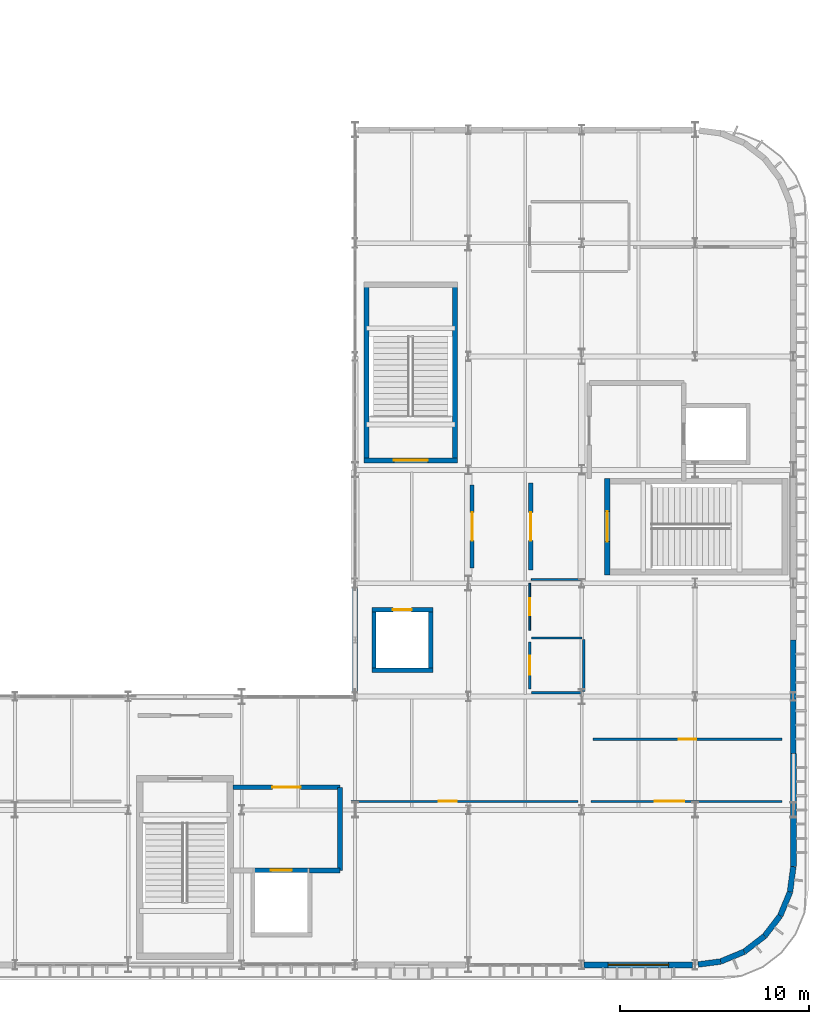
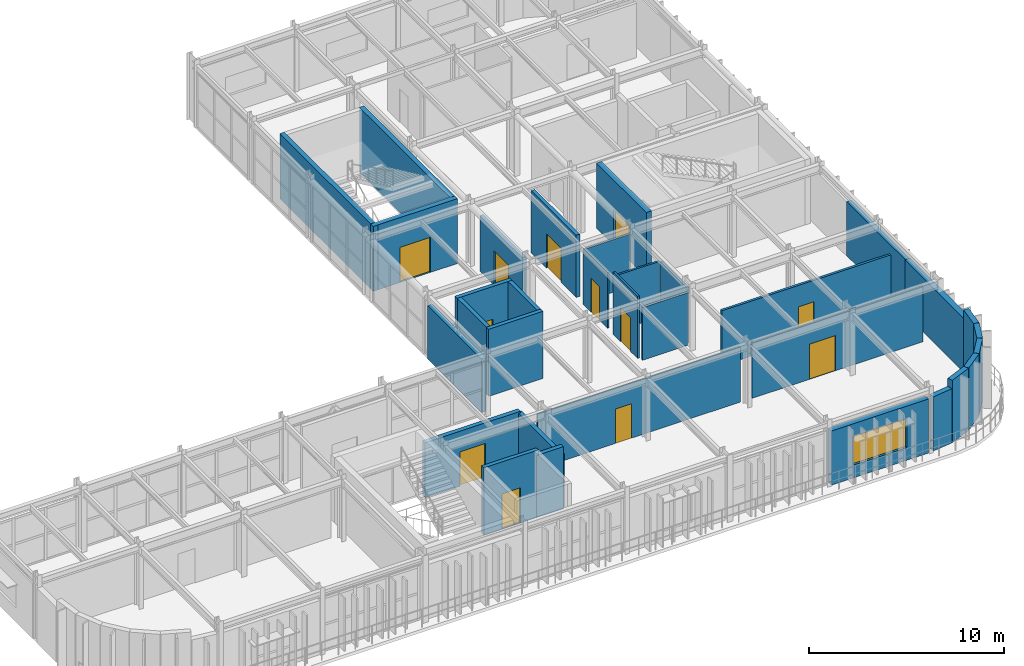
# One storey, part 64 of 83: 33 walls, 12 doors, 1 window, 13 openings.
"""IFC4 building model written with IfcOpenShell, lengths in metres."""

from ifc_helpers import new_model, si_unit, direction, frame, frame_2d, origin, place, context, subcontext, project, spatial, rectangle, extrude, material, layer, layer_set, type_object, element, fill, save


model = new_model("IFC4")

# Units and contexts
model_context = context("Model", 3, precision=1e-05, world=origin(), true_north=direction((0.0, 1.0)))
body_context = subcontext(model_context, "Body", "Model", "MODEL_VIEW")
ifc_project = project(units=[si_unit("LENGTHUNIT", "METRE"), si_unit("AREAUNIT", "SQUARE_METRE"), si_unit("VOLUMEUNIT", "CUBIC_METRE"), si_unit("PLANEANGLEUNIT", "RADIAN"), si_unit("MASSUNIT", "GRAM", prefix="KILO")], contexts=[model_context])

# Site, building, storey
site_placement = place(None, origin())
site = spatial("IfcSite", under=ifc_project, at=site_placement, CompositionType="ELEMENT")
building_placement = place(site_placement, origin())
building = spatial("IfcBuilding", under=site, at=building_placement, Name="Varnakota Square Police Headquarters", CompositionType="ELEMENT")
storey_placement = place(building_placement, frame((0.0, 0.0, 18.0)))
storey = spatial("IfcBuildingStorey", under=building, at=storey_placement, Name="L04", CompositionType="ELEMENT", Elevation=18.0)

# Wall, opening, door
ifc_material_1 = material(Name="Concrete M40", Category="concrete")
ifc_layer_1 = layer(ifc_material_1, 0.22998046875, Name="Concrete M40")
ifc_layer_set_1 = layer_set([ifc_layer_1], Name="Concrete M40")
wall_type_1 = type_object("IfcWallType", Name="WL-CORE-230", PredefinedType="SHEAR", material=ifc_layer_set_1)
wall_1_placement = place(storey_placement, frame((135.715087890625, 5.800048828125, 0.0), z_axis=(0.0, 0.0, 1.0), x_axis=(-1.0, 0.0, 0.0)))
wall_1 = element("IfcWall", 1, at=wall_1_placement, inside=storey, type_object=wall_type_1, Name="Lift shaft wall LF-FF1 L04 N", PredefinedType="SHEAR", context=body_context, shape_type="SweptSolid", body=[
    extrude(rectangle(XDim=3.22998046875, YDim=0.22998046875, at=frame_2d((1.614990234375, 0.0))), origin(), (0.0, 0.0, 1.0), 4.199951171875),
])
opening_1_placement = place(wall_1_placement, frame((1.06494140625, 0.0, 0.0)))
opening_1 = element("IfcOpeningElement", 2, at=opening_1_placement, cuts=wall_1, Name="Opening LD005", PredefinedType="OPENING", context=body_context, shape_type="SweptSolid", body=[
    extrude(rectangle(XDim=1.10009765625, YDim=2.199951171875, at=frame_2d((0.550048828125, 1.10009765625))), frame((0.0, 0.125, 0.0), z_axis=(0.0, -1.0, 0.0), x_axis=(1.0, 0.0, 0.0)), (0.0, 0.0, 1.0), 0.25),
])
ifc_material_2 = material(Name="Brushed Grade 316 Stainless Steel", Category="steel")
door_type_1 = type_object("IfcDoorType", Name="DR-LD-FF", OperationType="NOTDEFINED", PredefinedType="DOOR", material=ifc_material_2)
door_1_placement = place(opening_1_placement, origin())
door_1 = element("IfcDoor", 3, at=door_1_placement, inside=storey, type_object=door_type_1, Name="Lift sliding landing door LD005", OperationType="SLIDING_TO_LEFT", OverallHeight=2.199951171875, OverallWidth=1.10009765625, PredefinedType="DOOR", context=body_context, shape_type="SweptSolid", body=[
    extrude(rectangle(XDim=1.10009765625, YDim=2.199951171875, at=frame_2d((0.550048828125, 1.10009765625))), frame((0.0, 0.02490234375, 0.0), z_axis=(0.0, -1.0, 0.0), x_axis=(1.0, 0.0, 0.0)), (0.0, 0.0, 1.0), 0.050048828125),
])
fill(opening_1, door_1)

# Walls
wall_2_placement = place(storey_placement, frame((138.885009765625, 16.39990234375, 0.0), z_axis=(0.0, 0.0, 1.0), x_axis=(1.0, 0.0, 0.0)))
element("IfcWall", 4, at=wall_2_placement, inside=storey, type_object=wall_type_1, Name="Lift shaft wall LF-P1 L04 S", PredefinedType="SHEAR", context=body_context, shape_type="SweptSolid", body=[
    extrude(rectangle(XDim=3.22998046875, YDim=0.22998046875, at=frame_2d((1.614990234375, 0.0))), origin(), (0.0, 0.0, 1.0), 4.199951171875),
])
wall_3_placement = place(storey_placement, frame((142.0, 16.284912109375, 0.0), z_axis=(0.0, 0.0, 1.0), x_axis=(0.0, 1.0, 0.0)))
element("IfcWall", 5, at=wall_3_placement, inside=storey, type_object=wall_type_1, Name="Lift shaft wall LF-P1 L04 E", PredefinedType="SHEAR", context=body_context, shape_type="SweptSolid", body=[
    extrude(rectangle(XDim=3.43017578125, YDim=0.22998046875, at=frame_2d((1.715087890625, 0.0))), origin(), (0.0, 0.0, 1.0), 4.199951171875),
])

# Wall, opening, door
wall_4_placement = place(storey_placement, frame((142.114990234375, 19.60009765625, 0.0), z_axis=(0.0, 0.0, 1.0), x_axis=(-1.0, 0.0, 0.0)))
wall_4 = element("IfcWall", 6, at=wall_4_placement, inside=storey, type_object=wall_type_1, Name="Lift shaft wall LF-P1 L04 N", PredefinedType="SHEAR", context=body_context, shape_type="SweptSolid", body=[
    extrude(rectangle(XDim=3.22998046875, YDim=0.22998046875, at=frame_2d((1.614990234375, 0.0))), origin(), (0.0, 0.0, 1.0), 4.199951171875),
])
opening_2_placement = place(wall_4_placement, frame((1.114990234375, 0.0, 0.0)))
opening_2 = element("IfcOpeningElement", 7, at=opening_2_placement, cuts=wall_4, Name="Opening LD021", PredefinedType="OPENING", context=body_context, shape_type="SweptSolid", body=[
    extrude(rectangle(XDim=1.0, YDim=2.14990234375, at=frame_2d((0.5, 1.074951171875))), frame((0.0, 0.125, 0.0), z_axis=(0.0, -1.0, 0.0), x_axis=(1.0, 0.0, 0.0)), (0.0, 0.0, 1.0), 0.25),
])
door_type_2 = type_object("IfcDoorType", Name="DR-LD-PAX", OperationType="NOTDEFINED", PredefinedType="DOOR", material=ifc_material_2)
door_2_placement = place(opening_2_placement, origin())
door_2 = element("IfcDoor", 8, at=door_2_placement, inside=storey, type_object=door_type_2, Name="Lift sliding landing door LD021", OperationType="SLIDING_TO_LEFT", OverallHeight=2.14990234375, OverallWidth=1.0, PredefinedType="DOOR", context=body_context, shape_type="SweptSolid", body=[
    extrude(rectangle(XDim=1.0, YDim=2.14990234375, at=frame_2d((0.5, 1.074951171875))), frame((0.0, 0.02490234375, 0.0), z_axis=(0.0, -1.0, 0.0), x_axis=(1.0, 0.0, 0.0)), (0.0, 0.0, 1.0), 0.050048828125),
])
fill(opening_2, door_2)

# Wall
wall_5_placement = place(storey_placement, frame((139.0, 19.715087890625, 0.0), z_axis=(0.0, 0.0, 1.0), x_axis=(0.0, -1.0, 0.0)))
element("IfcWall", 9, at=wall_5_placement, inside=storey, type_object=wall_type_1, Name="Lift shaft wall LF-P1 L04 W", PredefinedType="SHEAR", context=body_context, shape_type="SweptSolid", body=[
    extrude(rectangle(XDim=3.43017578125, YDim=0.22998046875, at=frame_2d((1.715087890625, 0.0))), origin(), (0.0, 0.0, 1.0), 4.199951171875),
])

# Wall, opening, door
ifc_material_3 = material(Name="Concrete M50", Category="concrete")
ifc_layer_2 = layer(ifc_material_3, 0.27001953125, Name="Concrete M50")
ifc_layer_set_2 = layer_set([ifc_layer_2], Name="Concrete M50")
wall_type_2 = type_object("IfcWallType", Name="WL-CORE-270", PredefinedType="SHEAR", material=ifc_layer_set_2)
wall_6_placement = place(storey_placement, frame((138.465087890625, 27.5, 0.0), z_axis=(0.0, 0.0, 1.0), x_axis=(1.0, 0.0, 0.0)))
wall_6 = element("IfcWall", 10, at=wall_6_placement, inside=storey, type_object=wall_type_2, Name="Core C3 shear wall L04 S", PredefinedType="SHEAR", context=body_context, shape_type="SweptSolid", body=[
    extrude(rectangle(XDim=4.969970703125, YDim=0.27001953125, at=frame_2d((2.48486328125, 0.0))), origin(), (0.0, 0.0, 1.0), 4.06005859375),
])
opening_3_placement = place(wall_6_placement, frame((1.5849609375, 0.0, 0.0)))
opening_3 = element("IfcOpeningElement", 11, at=opening_3_placement, cuts=wall_6, Name="Opening SD053", PredefinedType="OPENING", context=body_context, shape_type="SweptSolid", body=[
    extrude(rectangle(XDim=1.800048828125, YDim=2.199951171875, at=frame_2d((0.89990234375, 1.10009765625))), frame((0.0, 0.14501953125, 0.0), z_axis=(0.0, -1.0, 0.0), x_axis=(1.0, 0.0, 0.0)), (0.0, 0.0, 1.0), 0.2900390625),
])
ifc_material_4 = material(Name="Powder-Coated Galvanised Steel", Category="steel")
door_type_3 = type_object("IfcDoorType", Name="DR-ST-180", OperationType="NOTDEFINED", PredefinedType="DOOR", material=ifc_material_4)
door_3_placement = place(opening_3_placement, origin())
door_3 = element("IfcDoor", 12, at=door_3_placement, inside=storey, type_object=door_type_3, Name="Protected stair door SD053", OperationType="DOUBLE_DOOR_SINGLE_SWING", OverallHeight=2.199951171875, OverallWidth=1.800048828125, PredefinedType="DOOR", context=body_context, shape_type="SweptSolid", body=[
    extrude(rectangle(XDim=1.800048828125, YDim=2.199951171875, at=frame_2d((0.89990234375, 1.10009765625))), frame((0.0, 0.02490234375, 0.0), z_axis=(0.0, -1.0, 0.0), x_axis=(1.0, 0.0, 0.0)), (0.0, 0.0, 1.0), 0.050048828125),
])
fill(opening_3, door_3)

# Walls
for number, where, z_axis, x_axis, name in (
    (13, (143.300048828125, 27.364990234375, 0.0), (0.0, 0.0, 1.0), (0.0, 1.0, 0.0), "Core C3 shear wall L04 E"),
    (14, (138.60009765625, 36.93505859375, 0.0), (0.0, 0.0, 1.0), (0.0, -1.0, 0.0), "Core C3 shear wall L04 W"),
):
    element("IfcWall", number, at=place(storey_placement, frame(where, z_axis=z_axis, x_axis=x_axis)), inside=storey, type_object=wall_type_2, Name=name, PredefinedType="SHEAR", context=body_context, shape_type="SweptSolid", body=[
        extrude(rectangle(XDim=9.570068359375, YDim=0.27001953125, at=frame_2d((4.78515625, 0.0))), origin(), (0.0, 0.0, 1.0), 4.06005859375),
    ])

# Wall, opening, door
ifc_layer_3 = layer(ifc_material_3, 0.31005859375, Name="Concrete M50")
ifc_layer_set_3 = layer_set([ifc_layer_3], Name="Concrete M50")
wall_type_3 = type_object("IfcWallType", Name="WL-CORE-310", PredefinedType="SHEAR", material=ifc_layer_set_3)
wall_7_placement = place(storey_placement, frame((151.35009765625, 26.554931640625, 0.0), z_axis=(0.0, 0.0, 1.0), x_axis=(0.0, -1.0, 0.0)))
wall_7 = element("IfcWall", 15, at=wall_7_placement, inside=storey, type_object=wall_type_3, Name="Core C2 shear wall L04 W", PredefinedType="SHEAR", context=body_context, shape_type="SweptSolid", body=[
    extrude(rectangle(XDim=5.10986328125, YDim=0.31005859375, at=frame_2d((2.554931640625, 0.0))), origin(), (0.0, 0.0, 1.0), 4.06005859375),
])
opening_4_placement = place(wall_7_placement, frame((1.7548828125, 0.0, 0.0)))
opening_4 = element("IfcOpeningElement", 16, at=opening_4_placement, cuts=wall_7, Name="Opening SD029", PredefinedType="OPENING", context=body_context, shape_type="SweptSolid", body=[
    extrude(rectangle(XDim=1.60009765625, YDim=2.199951171875, at=frame_2d((0.800048828125, 1.10009765625))), frame((0.0, 0.1650390625, 0.0), z_axis=(0.0, -1.0, 0.0), x_axis=(1.0, 0.0, 0.0)), (0.0, 0.0, 1.0), 0.330078125),
])
door_type_4 = type_object("IfcDoorType", Name="DR-ST-160", OperationType="NOTDEFINED", PredefinedType="DOOR", material=ifc_material_4)
door_4_placement = place(opening_4_placement, origin())
door_4 = element("IfcDoor", 17, at=door_4_placement, inside=storey, type_object=door_type_4, Name="Protected stair door SD029", OperationType="DOUBLE_DOOR_SINGLE_SWING", OverallHeight=2.199951171875, OverallWidth=1.60009765625, PredefinedType="DOOR", context=body_context, shape_type="SweptSolid", body=[
    extrude(rectangle(XDim=1.60009765625, YDim=2.199951171875, at=frame_2d((0.800048828125, 1.10009765625))), frame((0.0, 0.02490234375, 0.0), z_axis=(0.0, -1.0, 0.0), x_axis=(1.0, 0.0, 0.0)), (0.0, 0.0, 1.0), 0.050048828125),
])
fill(opening_4, door_4)

# Walls
ifc_layer_4 = layer(ifc_material_1, 0.280029296875, Name="Concrete M40")
ifc_layer_set_4 = layer_set([ifc_layer_4], Name="Concrete M40")
wall_type_4 = type_object("IfcWallType", Name="WL-EXT-280", PredefinedType="SOLIDWALL", material=ifc_layer_set_4)
wall_8_placement = place(storey_placement, frame((161.199951171875, 12.0, 0.0), z_axis=(0.0, 0.0, 1.0), x_axis=(0.0, 1.0, 0.0)))
element("IfcWall", 18, at=wall_8_placement, inside=storey, type_object=wall_type_4, Name="Exterior wall EW-L04-0251", PredefinedType="SOLIDWALL", context=body_context, shape_type="SweptSolid", body=[
    extrude(rectangle(XDim=6.0, YDim=0.280029296875, at=frame_2d((3.0, 0.0))), origin(), (0.0, 0.0, 1.0), 3.389892578125),
])
wall_9_placement = place(storey_placement, frame((138.0, 15.22900390625, 0.0), z_axis=(0.0, 0.0, 1.0), x_axis=(0.0, 1.0, 0.0)))
element("IfcWall", 19, at=wall_9_placement, inside=storey, type_object=wall_type_4, Name="Exterior wall EW-L04-0257", PredefinedType="SOLIDWALL", context=body_context, shape_type="SweptSolid", body=[
    extrude(rectangle(XDim=5.51708984375, YDim=0.280029296875, at=frame_2d((2.758544921875, 0.0))), origin(), (0.0, 0.0, 1.0), 3.340087890625),
])
ifc_material_5 = material(Name="Precast concrete M40", Category="concrete")
ifc_layer_5 = layer(ifc_material_5, 0.300048828125, Name="Precast concrete M40")
ifc_layer_set_5 = layer_set([ifc_layer_5], Name="Precast concrete M40")
wall_type_5 = type_object("IfcWallType", Name="WL-EXT-300", PredefinedType="SOLIDWALL", material=ifc_layer_set_5)
wall_10_placement = place(storey_placement, frame((156.1591796875, 0.821044921875, 0.0), z_axis=(0.0, 0.0, 1.0), x_axis=(0.991443879237, 0.13053365207, 0.0)))
element("IfcWall", 20, at=wall_10_placement, inside=storey, type_object=wall_type_5, Name="Exterior wall EW-L04-0269", PredefinedType="SOLIDWALL", context=body_context, shape_type="SweptSolid", body=[
    extrude(rectangle(XDim=1.197021484375, YDim=0.300048828125, at=frame_2d((0.5986328125, 0.0))), origin(), (0.0, 0.0, 1.0), 3.389892578125),
])
for number, where, z_axis, x_axis, name in (
    (21, (157.345947265625, 0.977294921875, 0.0), (0.0, 0.0, 1.0), (0.923931353894, 0.382558300513, 0.0), "Exterior wall EW-L04-0270"),
    (22, (158.60009765625, 1.49658203125, 0.0), (0.0, 0.0, 1.0), (0.793325486746, 0.608797726736, 0.0), "Exterior wall EW-L04-0271"),
    (23, (159.677001953125, 2.322998046875, 0.0), (0.0, 0.0, 1.0), (0.608797726736, 0.793325486746, 0.0), "Exterior wall EW-L04-0272"),
    (24, (160.50341796875, 3.39990234375, 0.0), (0.0, 0.0, 1.0), (0.382558300513, 0.923931353894, 0.0), "Exterior wall EW-L04-0273"),
):
    element("IfcWall", number, at=place(storey_placement, frame(where, z_axis=z_axis, x_axis=x_axis)), inside=storey, type_object=wall_type_5, Name=name, PredefinedType="SOLIDWALL", context=body_context, shape_type="SweptSolid", body=[
        extrude(rectangle(XDim=1.357421875, YDim=0.300048828125, at=frame_2d((0.6787109375, 0.0))), origin(), (0.0, 0.0, 1.0), 3.89501953125),
    ])
wall_11_placement = place(storey_placement, frame((161.022705078125, 4.654052734375, 0.0), z_axis=(0.0, 0.0, 1.0), x_axis=(0.130561507967, 0.991440211328, 0.0)))
element("IfcWall", 25, at=wall_11_placement, inside=storey, type_object=wall_type_5, Name="Exterior wall EW-L04-0274", PredefinedType="SOLIDWALL", context=body_context, shape_type="SweptSolid", body=[
    extrude(rectangle(XDim=1.357666015625, YDim=0.300048828125, at=frame_2d((0.6787109375, 0.0))), origin(), (0.0, 0.0, 1.0), 3.89501953125),
])

# Wall, opening, window
ifc_layer_6 = layer(ifc_material_5, 0.320068359375, Name="Precast concrete M40")
ifc_layer_set_6 = layer_set([ifc_layer_6], Name="Precast concrete M40")
wall_type_6 = type_object("IfcWallType", Name="WL-EXT-320", PredefinedType="SOLIDWALL", material=ifc_layer_set_6)
wall_12_placement = place(storey_placement, frame((150.12890625, 0.800048828125, 0.0), z_axis=(0.0, 0.0, 1.0), x_axis=(1.0, 0.0, 0.0)))
wall_12 = element("IfcWall", 26, at=wall_12_placement, inside=storey, type_object=wall_type_6, Name="Exterior wall EW-L04-0249", PredefinedType="SOLIDWALL", context=body_context, shape_type="SweptSolid", body=[
    extrude(rectangle(XDim=5.7421875, YDim=0.320068359375, at=frame_2d((2.87109375, 0.0))), origin(), (0.0, 0.0, 1.0), 3.389892578125),
])
opening_5_placement = place(wall_12_placement, frame((1.27099609375, 0.0, 0.800048828125)))
opening_5 = element("IfcOpeningElement", 27, at=opening_5_placement, cuts=wall_12, Name="Opening W15", PredefinedType="OPENING", context=body_context, shape_type="SweptSolid", body=[
    extrude(rectangle(XDim=3.199951171875, YDim=1.800048828125, at=frame_2d((1.60009765625, 0.89990234375))), frame((0.0, 0.169921875, 0.0), z_axis=(0.0, -1.0, 0.0), x_axis=(1.0, 0.0, 0.0)), (0.0, 0.0, 1.0), 0.340087890625),
])
ifc_material_6 = material(Name="Thermally Broken Aluminium Double-Glazed Window", Category="aluminium")
window_type = type_object("IfcWindowType", Name="WIN-15", PartitioningType="SINGLE_PANEL", PredefinedType="WINDOW", material=ifc_material_6)
window_placement = place(opening_5_placement, origin())
window = element("IfcWindow", 28, at=window_placement, inside=storey, type_object=window_type, Name="Window WN-L04-0042", OverallHeight=1.800048828125, OverallWidth=3.199951171875, PartitioningType="SINGLE_PANEL", PredefinedType="WINDOW", context=body_context, shape_type="SweptSolid", body=[
    extrude(rectangle(XDim=3.199951171875, YDim=1.800048828125, at=frame_2d((1.60009765625, 0.89990234375))), frame((0.0, 0.030029296875, 0.0), z_axis=(0.0, -1.0, 0.0), x_axis=(1.0, 0.0, 0.0)), (0.0, 0.0, 1.0), 0.06005859375),
])
fill(opening_5, window)

# Wall
wall_13_placement = place(storey_placement, frame((161.199951171875, 6.0, 0.0), z_axis=(0.0, 0.0, 1.0), x_axis=(0.0, 1.0, 0.0)))
element("IfcWall", 29, at=wall_13_placement, inside=storey, type_object=wall_type_6, Name="Exterior wall EW-L04-0250", PredefinedType="SOLIDWALL", context=body_context, shape_type="SweptSolid", body=[
    extrude(rectangle(XDim=6.0, YDim=0.320068359375, at=frame_2d((3.0, 0.0))), origin(), (0.0, 0.0, 1.0), 3.389892578125),
])

# Wall, opening, door
ifc_material_7 = material(Name="Lightweight Demountable Office Partition", Category="gypsum")
ifc_layer_7 = layer(ifc_material_7, 0.094970703125, Name="Lightweight Demountable Office Partition")
ifc_layer_set_7 = layer_set([ifc_layer_7], Name="Lightweight Demountable Office Partition")
wall_type_7 = type_object("IfcWallType", Name="WL-PRT-095", PredefinedType="PARTITIONING", material=ifc_layer_set_7)
wall_14_placement = place(storey_placement, frame((147.25, 18.5, 0.0), z_axis=(0.0, 0.0, 1.0), x_axis=(0.0, 1.0, 0.0)))
wall_14 = element("IfcWall", 30, at=wall_14_placement, inside=storey, type_object=wall_type_7, Name="Interior partition PW-L04-0196 (L04 Operations Men Washroom WC)", PredefinedType="PARTITIONING", context=body_context, shape_type="SweptSolid", body=[
    extrude(rectangle(XDim=2.5, YDim=0.094970703125, at=frame_2d((1.25, 0.0))), origin(), (0.0, 0.0, 1.0), 3.489990234375),
])
opening_6_placement = place(wall_14_placement, frame((0.800048828125, 0.0, 0.0)))
opening_6 = element("IfcOpeningElement", 31, at=opening_6_placement, cuts=wall_14, Name="Opening D261", PredefinedType="OPENING", context=body_context, shape_type="SweptSolid", body=[
    extrude(rectangle(XDim=0.89990234375, YDim=2.10009765625, at=frame_2d((0.449951171875, 1.050048828125))), frame((0.0, 0.057373046875, 0.0), z_axis=(0.0, -1.0, 0.0), x_axis=(1.0, 0.0, 0.0)), (0.0, 0.0, 1.0), 0.114990234375),
])
ifc_material_8 = material(Name="High-Pressure Moisture-Resistant Compact Laminate")
door_type_5 = type_object("IfcDoorType", Name="DR-WC-090", OperationType="NOTDEFINED", PredefinedType="DOOR", material=ifc_material_8)
door_5_placement = place(opening_6_placement, origin())
door_5 = element("IfcDoor", 32, at=door_5_placement, inside=storey, type_object=door_type_5, Name="Room door D261 (L04 Operations Men Washroom WC)", OperationType="SINGLE_SWING_LEFT", OverallHeight=2.10009765625, OverallWidth=0.89990234375, PredefinedType="DOOR", context=body_context, shape_type="SweptSolid", body=[
    extrude(rectangle(XDim=0.89990234375, YDim=2.10009765625, at=frame_2d((0.449951171875, 1.050048828125))), frame((0.0, 0.02490234375, 0.0), z_axis=(0.0, -1.0, 0.0), x_axis=(1.0, 0.0, 0.0)), (0.0, 0.0, 1.0), 0.050048828125),
])
fill(opening_6, door_5)

wall_15_placement = place(storey_placement, frame((137.800048828125, 9.449951171875, 0.0), z_axis=(0.0, 0.0, 1.0), x_axis=(1.0, 0.0, 0.0)))
wall_15 = element("IfcWall", 33, at=wall_15_placement, inside=storey, type_object=wall_type_7, Name="Interior partition PW-L04-0204 (Digital Threat Intelligence Office)", PredefinedType="PARTITIONING", context=body_context, shape_type="SweptSolid", body=[
    extrude(rectangle(XDim=12.0, YDim=0.094970703125, at=frame_2d((6.0, 0.0))), origin(), (0.0, 0.0, 1.0), 3.43994140625),
])
opening_7_placement = place(wall_15_placement, frame((4.625, 0.0, 0.0)))
opening_7 = element("IfcOpeningElement", 34, at=opening_7_placement, cuts=wall_15, Name="Opening D269", PredefinedType="OPENING", context=body_context, shape_type="SweptSolid", body=[
    extrude(rectangle(XDim=0.949951171875, YDim=2.14990234375, at=frame_2d((0.47509765625, 1.074951171875))), frame((0.0, 0.057373046875, 0.0), z_axis=(0.0, -1.0, 0.0), x_axis=(1.0, 0.0, 0.0)), (0.0, 0.0, 1.0), 0.114990234375),
])
ifc_material_9 = material(Name="Solid-Core Teak Veneer Hardwood", Category="wood")
door_type_6 = type_object("IfcDoorType", Name="DR-OFF-095", OperationType="NOTDEFINED", PredefinedType="DOOR", material=ifc_material_9)
door_6_placement = place(opening_7_placement, origin())
door_6 = element("IfcDoor", 35, at=door_6_placement, inside=storey, type_object=door_type_6, Name="Room door D269 (Digital Threat Intelligence Office)", OperationType="SINGLE_SWING_LEFT", OverallHeight=2.14990234375, OverallWidth=0.949951171875, PredefinedType="DOOR", context=body_context, shape_type="SweptSolid", body=[
    extrude(rectangle(XDim=0.949951171875, YDim=2.14990234375, at=frame_2d((0.47509765625, 1.074951171875))), frame((0.0, 0.02490234375, 0.0), z_axis=(0.0, -1.0, 0.0), x_axis=(1.0, 0.0, 0.0)), (0.0, 0.0, 1.0), 0.050048828125),
])
fill(opening_7, door_6)

# Wall
wall_16_placement = place(storey_placement, frame((147.330078125, 21.199951171875, 0.0), z_axis=(0.0, 0.0, 1.0), x_axis=(1.0, 0.0, 0.0)))
element("IfcWall", 36, at=wall_16_placement, inside=storey, type_object=wall_type_7, Name="Interior dividing partition PW-L04-0211 (L04 Operations Men Washroom WC)", PredefinedType="PARTITIONING", context=body_context, shape_type="SweptSolid", body=[
    extrude(rectangle(XDim=2.68994140625, YDim=0.094970703125, at=frame_2d((1.344970703125, 0.0))), origin(), (0.0, 0.0, 1.0), 3.2900390625),
])

# Wall, opening, door
ifc_material_10 = material(Name="Moisture-Resistant Tile-Backed Partition", Category="gypsum")
ifc_layer_8 = layer(ifc_material_10, 0.114990234375, Name="Moisture-Resistant Tile-Backed Partition")
ifc_layer_set_8 = layer_set([ifc_layer_8], Name="Moisture-Resistant Tile-Backed Partition")
wall_type_8 = type_object("IfcWallType", Name="WL-PRT-115", PredefinedType="PARTITIONING", material=ifc_layer_set_8)
wall_17_placement = place(storey_placement, frame((147.25, 15.39990234375, 0.0), z_axis=(0.0, 0.0, 1.0), x_axis=(0.0, 1.0, 0.0)))
wall_17 = element("IfcWall", 37, at=wall_17_placement, inside=storey, type_object=wall_type_8, Name="Interior partition PW-L04-0195 (L04 Accessible WC East)", PredefinedType="PARTITIONING", context=body_context, shape_type="SweptSolid", body=[
    extrude(rectangle(XDim=2.5, YDim=0.114990234375, at=frame_2d((1.25, 0.0))), origin(), (0.0, 0.0, 1.0), 3.889892578125),
])
opening_8_placement = place(wall_17_placement, frame((0.75, 0.0, 0.0)))
opening_8 = element("IfcOpeningElement", 38, at=opening_8_placement, cuts=wall_17, Name="Opening D260", PredefinedType="OPENING", context=body_context, shape_type="SweptSolid", body=[
    extrude(rectangle(XDim=1.0, YDim=2.10009765625, at=frame_2d((0.5, 1.050048828125))), frame((0.0, 0.0673828125, 0.0), z_axis=(0.0, -1.0, 0.0), x_axis=(1.0, 0.0, 0.0)), (0.0, 0.0, 1.0), 0.135009765625),
])
ifc_material_11 = material(Name="Antimicrobial High-Pressure Compact Laminate")
door_type_7 = type_object("IfcDoorType", Name="DR-WCA-100", OperationType="NOTDEFINED", PredefinedType="DOOR", material=ifc_material_11)
door_7_placement = place(opening_8_placement, origin())
door_7 = element("IfcDoor", 39, at=door_7_placement, inside=storey, type_object=door_type_7, Name="Room door D260 (L04 Accessible WC East)", OperationType="SINGLE_SWING_RIGHT", OverallHeight=2.10009765625, OverallWidth=1.0, PredefinedType="DOOR", context=body_context, shape_type="SweptSolid", body=[
    extrude(rectangle(XDim=1.0, YDim=2.10009765625, at=frame_2d((0.5, 1.050048828125))), frame((0.0, 0.02490234375, 0.0), z_axis=(0.0, -1.0, 0.0), x_axis=(1.0, 0.0, 0.0)), (0.0, 0.0, 1.0), 0.050048828125),
])
fill(opening_8, door_7)

# Wall
wall_18_placement = place(storey_placement, frame((147.330078125, 18.10009765625, 0.0), z_axis=(0.0, 0.0, 1.0), x_axis=(1.0, 0.0, 0.0)))
element("IfcWall", 40, at=wall_18_placement, inside=storey, type_object=wall_type_8, Name="Interior dividing partition PW-L04-0210 (L04 Accessible WC East)", PredefinedType="PARTITIONING", context=body_context, shape_type="SweptSolid", body=[
    extrude(rectangle(XDim=2.68994140625, YDim=0.114990234375, at=frame_2d((1.344970703125, 0.0))), origin(), (0.0, 0.0, 1.0), 3.489990234375),
])

# Wall, opening, door
ifc_material_12 = material(Name="Acoustic Insulated Metal-Stud Partition", Category="gypsum")
ifc_layer_9 = layer(ifc_material_12, 0.125, Name="Acoustic Insulated Metal-Stud Partition")
ifc_layer_set_9 = layer_set([ifc_layer_9], Name="Acoustic Insulated Metal-Stud Partition")
wall_type_9 = type_object("IfcWallType", Name="WL-PRT-125", PredefinedType="PARTITIONING", material=ifc_layer_set_9)
wall_19_placement = place(storey_placement, frame((150.5, 9.449951171875, 0.0), z_axis=(0.0, 0.0, 1.0), x_axis=(1.0, 0.0, 0.0)))
wall_19 = element("IfcWall", 41, at=wall_19_placement, inside=storey, type_object=wall_type_9, Name="Interior partition PW-L04-0205 (Cybercrime Division Briefing Room)", PredefinedType="PARTITIONING", context=body_context, shape_type="SweptSolid", body=[
    extrude(rectangle(XDim=10.10009765625, YDim=0.125, at=frame_2d((5.050048828125, 0.0))), origin(), (0.0, 0.0, 1.0), 3.43994140625),
])
opening_9_placement = place(wall_19_placement, frame((3.375, 0.0, 0.0)))
opening_9 = element("IfcOpeningElement", 42, at=opening_9_placement, cuts=wall_19, Name="Opening D270", PredefinedType="OPENING", context=body_context, shape_type="SweptSolid", body=[
    extrude(rectangle(XDim=1.550048828125, YDim=2.199951171875, at=frame_2d((0.77490234375, 1.10009765625))), frame((0.0, 0.072509765625, 0.0), z_axis=(0.0, -1.0, 0.0), x_axis=(1.0, 0.0, 0.0)), (0.0, 0.0, 1.0), 0.14501953125),
])
ifc_material_13 = material(Name="Solid-Core Acoustic Oak Veneer Timber", Category="wood")
door_type_8 = type_object("IfcDoorType", Name="DR-BRF-155", OperationType="NOTDEFINED", PredefinedType="DOOR", material=ifc_material_13)
door_8_placement = place(opening_9_placement, origin())
door_8 = element("IfcDoor", 43, at=door_8_placement, inside=storey, type_object=door_type_8, Name="Room door D270 (Cybercrime Division Briefing Room)", OperationType="DOUBLE_DOOR_SINGLE_SWING", OverallHeight=2.199951171875, OverallWidth=1.550048828125, PredefinedType="DOOR", context=body_context, shape_type="SweptSolid", body=[
    extrude(rectangle(XDim=1.550048828125, YDim=2.199951171875, at=frame_2d((0.77490234375, 1.10009765625))), frame((0.0, 0.02490234375, 0.0), z_axis=(0.0, -1.0, 0.0), x_axis=(1.0, 0.0, 0.0)), (0.0, 0.0, 1.0), 0.050048828125),
])
fill(opening_9, door_8)

# Wall
wall_20_placement = place(storey_placement, frame((150.02001953125, 15.199951171875, 0.0), z_axis=(0.0, 0.0, 1.0), x_axis=(-1.0, 0.0, 0.0)))
element("IfcWall", 44, at=wall_20_placement, inside=storey, type_object=wall_type_9, Name="Interior dividing partition PW-L04-0209 (L04 Accessible WC East)", PredefinedType="PARTITIONING", context=body_context, shape_type="SweptSolid", body=[
    extrude(rectangle(XDim=2.68994140625, YDim=0.125, at=frame_2d((1.344970703125, 0.0))), origin(), (0.0, 0.0, 1.0), 3.2900390625),
])

# Wall, opening, door
ifc_layer_10 = layer(ifc_material_12, 0.139892578125, Name="Acoustic Insulated Metal-Stud Partition")
ifc_layer_set_10 = layer_set([ifc_layer_10], Name="Acoustic Insulated Metal-Stud Partition")
wall_type_10 = type_object("IfcWallType", Name="WL-PRT-140", PredefinedType="PARTITIONING", material=ifc_layer_set_10)
wall_21_placement = place(storey_placement, frame((160.60009765625, 12.75, 0.0), z_axis=(0.0, 0.0, 1.0), x_axis=(-1.0, 0.0, 0.0)))
wall_21 = element("IfcWall", 45, at=wall_21_placement, inside=storey, type_object=wall_type_10, Name="Interior partition PW-L04-0207 (Fourth Floor Staff Pantry)", PredefinedType="PARTITIONING", context=body_context, shape_type="SweptSolid", body=[
    extrude(rectangle(XDim=10.0, YDim=0.139892578125, at=frame_2d((5.0, 0.0))), origin(), (0.0, 0.0, 1.0), 3.43994140625),
])
opening_10_placement = place(wall_21_placement, frame((4.5400390625, 0.0, 0.0)))
opening_10 = element("IfcOpeningElement", 46, at=opening_10_placement, cuts=wall_21, Name="Opening D272", PredefinedType="OPENING", context=body_context, shape_type="SweptSolid", body=[
    extrude(rectangle(XDim=0.919921875, YDim=2.10009765625, at=frame_2d((0.4599609375, 1.050048828125))), frame((0.0, 0.079833984375, 0.0), z_axis=(0.0, -1.0, 0.0), x_axis=(1.0, 0.0, 0.0)), (0.0, 0.0, 1.0), 0.159912109375),
])
ifc_material_14 = material(Name="High-Pressure Melamine-Faced Hardwood Core", Category="wood")
door_type_9 = type_object("IfcDoorType", Name="DR-PAN-092", OperationType="NOTDEFINED", PredefinedType="DOOR", material=ifc_material_14)
door_9_placement = place(opening_10_placement, origin())
door_9 = element("IfcDoor", 47, at=door_9_placement, inside=storey, type_object=door_type_9, Name="Room door D272 (Fourth Floor Staff Pantry)", OperationType="SINGLE_SWING_LEFT", OverallHeight=2.10009765625, OverallWidth=0.919921875, PredefinedType="DOOR", context=body_context, shape_type="SweptSolid", body=[
    extrude(rectangle(XDim=0.919921875, YDim=2.10009765625, at=frame_2d((0.4599609375, 1.050048828125))), frame((0.0, 0.02490234375, 0.0), z_axis=(0.0, -1.0, 0.0), x_axis=(1.0, 0.0, 0.0)), (0.0, 0.0, 1.0), 0.050048828125),
])
fill(opening_10, door_9)

# Wall
wall_22_placement = place(storey_placement, frame((150.10009765625, 18.02001953125, 0.0), z_axis=(0.0, 0.0, 1.0), x_axis=(0.0, -1.0, 0.0)))
element("IfcWall", 48, at=wall_22_placement, inside=storey, type_object=wall_type_10, Name="Interior dividing partition PW-L04-0208 (L04 Accessible WC East)", PredefinedType="PARTITIONING", context=body_context, shape_type="SweptSolid", body=[
    extrude(rectangle(XDim=2.739990234375, YDim=0.139892578125, at=frame_2d((1.3701171875, 0.0))), origin(), (0.0, 0.0, 1.0), 3.489990234375),
])

# Wall, opening, door
ifc_layer_11 = layer(ifc_material_1, 0.215087890625, Name="Concrete M40")
ifc_layer_set_11 = layer_set([ifc_layer_11], Name="Concrete M40")
wall_type_11 = type_object("IfcWallType", Name="WL-PRT-215F", PredefinedType="PARTITIONING", material=ifc_layer_set_11)
wall_23_placement = place(storey_placement, frame((147.300048828125, 21.699951171875, 0.0), z_axis=(0.0, 0.0, 1.0), x_axis=(0.0, 1.0, 0.0)))
wall_23 = element("IfcWall", 49, at=wall_23_placement, inside=storey, type_object=wall_type_11, Name="Core C2 lobby fire partition L04", PredefinedType="PARTITIONING", context=body_context, shape_type="SweptSolid", body=[
    extrude(rectangle(XDim=4.60009765625, YDim=0.215087890625, at=frame_2d((2.300048828125, 0.0))), origin(), (0.0, 0.0, 1.0), 3.889892578125),
])
opening_11_placement = place(wall_23_placement, frame((1.550048828125, 0.0, 0.0)))
opening_11 = element("IfcOpeningElement", 50, at=opening_11_placement, cuts=wall_23, Name="Opening FD041", PredefinedType="OPENING", context=body_context, shape_type="SweptSolid", body=[
    extrude(rectangle(XDim=1.5, YDim=2.14990234375, at=frame_2d((0.75, 1.074951171875))), frame((0.0, 0.117431640625, 0.0), z_axis=(0.0, -1.0, 0.0), x_axis=(1.0, 0.0, 0.0)), (0.0, 0.0, 1.0), 0.235107421875),
])
ifc_material_15 = material(Name="Smoke-Sealed Galvanised Acoustic Steel", Category="steel")
door_type_10 = type_object("IfcDoorType", Name="DR-FFL-150", OperationType="NOTDEFINED", PredefinedType="DOOR", material=ifc_material_15)
door_10_placement = place(opening_11_placement, origin())
door_10 = element("IfcDoor", 51, at=door_10_placement, inside=storey, type_object=door_type_10, Name="Core lobby smoke door FD041", OperationType="DOUBLE_DOOR_SINGLE_SWING", OverallHeight=2.14990234375, OverallWidth=1.5, PredefinedType="DOOR", context=body_context, shape_type="SweptSolid", body=[
    extrude(rectangle(XDim=1.5, YDim=2.14990234375, at=frame_2d((0.75, 1.074951171875))), frame((0.0, 0.02490234375, 0.0), z_axis=(0.0, -1.0, 0.0), x_axis=(1.0, 0.0, 0.0)), (0.0, 0.0, 1.0), 0.050048828125),
])
fill(opening_11, door_10)

wall_24_placement = place(storey_placement, frame((144.199951171875, 21.800048828125, 0.0), z_axis=(0.0, 0.0, 1.0), x_axis=(0.0, 1.0, 0.0)))
wall_24 = element("IfcWall", 52, at=wall_24_placement, inside=storey, type_object=wall_type_11, Name="Core C3 lobby fire partition L04", PredefinedType="PARTITIONING", context=body_context, shape_type="SweptSolid", body=[
    extrude(rectangle(XDim=4.39990234375, YDim=0.215087890625, at=frame_2d((2.199951171875, 0.0))), origin(), (0.0, 0.0, 1.0), 3.483642578125),
])
opening_12_placement = place(wall_24_placement, frame((1.449951171875, 0.0, 0.0)))
opening_12 = element("IfcOpeningElement", 53, at=opening_12_placement, cuts=wall_24, Name="Opening FD061", PredefinedType="OPENING", context=body_context, shape_type="SweptSolid", body=[
    extrude(rectangle(XDim=1.5, YDim=2.14990234375, at=frame_2d((0.75, 1.074951171875))), frame((0.0, 0.117431640625, 0.0), z_axis=(0.0, -1.0, 0.0), x_axis=(1.0, 0.0, 0.0)), (0.0, 0.0, 1.0), 0.235107421875),
])
door_11_placement = place(opening_12_placement, origin())
door_11 = element("IfcDoor", 54, at=door_11_placement, inside=storey, type_object=door_type_10, Name="Core lobby smoke door FD061", OperationType="DOUBLE_DOOR_SINGLE_SWING", OverallHeight=2.14990234375, OverallWidth=1.5, PredefinedType="DOOR", context=body_context, shape_type="SweptSolid", body=[
    extrude(rectangle(XDim=1.5, YDim=2.14990234375, at=frame_2d((0.75, 1.074951171875))), frame((0.0, 0.02490234375, 0.0), z_axis=(0.0, -1.0, 0.0), x_axis=(1.0, 0.0, 0.0)), (0.0, 0.0, 1.0), 0.050048828125),
])
fill(opening_12, door_11)

ifc_layer_12 = layer(ifc_material_1, 0.25, Name="Concrete M40")
ifc_layer_set_12 = layer_set([ifc_layer_12], Name="Concrete M40")
wall_type_12 = type_object("IfcWallType", Name="WL-PRT-250F", PredefinedType="PARTITIONING", material=ifc_layer_set_12)
wall_25_placement = place(storey_placement, frame((131.550048828125, 10.199951171875, 0.0), z_axis=(0.0, 0.0, 1.0), x_axis=(1.0, 0.0, 0.0)))
wall_25 = element("IfcWall", 55, at=wall_25_placement, inside=storey, type_object=wall_type_12, Name="Firefighting lobby enclosure C1 L04", PredefinedType="PARTITIONING", context=body_context, shape_type="SweptSolid", body=[
    extrude(rectangle(XDim=5.64990234375, YDim=0.25, at=frame_2d((2.824951171875, 0.0))), origin(), (0.0, 0.0, 1.0), 3.43994140625),
])
opening_13_placement = place(wall_25_placement, frame((2.074951171875, 0.0, 0.0)))
opening_13 = element("IfcOpeningElement", 56, at=opening_13_placement, cuts=wall_25, Name="Opening FD018", PredefinedType="OPENING", context=body_context, shape_type="SweptSolid", body=[
    extrude(rectangle(XDim=1.5, YDim=2.14990234375, at=frame_2d((0.75, 1.074951171875))), frame((0.0, 0.135009765625, 0.0), z_axis=(0.0, -1.0, 0.0), x_axis=(1.0, 0.0, 0.0)), (0.0, 0.0, 1.0), 0.27001953125),
])
door_12_placement = place(opening_13_placement, origin())
door_12 = element("IfcDoor", 57, at=door_12_placement, inside=storey, type_object=door_type_10, Name="Firefighting lobby fire door FD018", OperationType="DOUBLE_DOOR_SINGLE_SWING", OverallHeight=2.14990234375, OverallWidth=1.5, PredefinedType="DOOR", context=body_context, shape_type="SweptSolid", body=[
    extrude(rectangle(XDim=1.5, YDim=2.14990234375, at=frame_2d((0.75, 1.074951171875))), frame((0.0, 0.02490234375, 0.0), z_axis=(0.0, -1.0, 0.0), x_axis=(1.0, 0.0, 0.0)), (0.0, 0.0, 1.0), 0.050048828125),
])
fill(opening_13, door_12)

# Walls
wall_26_placement = place(storey_placement, frame((137.199951171875, 5.800048828125, 0.0), z_axis=(0.0, 0.0, 1.0), x_axis=(0.0, 1.0, 0.0)))
element("IfcWall", 58, at=wall_26_placement, inside=storey, type_object=wall_type_12, Name="Firefighting lobby return wall C1 L04 E", PredefinedType="PARTITIONING", context=body_context, shape_type="SweptSolid", body=[
    extrude(rectangle(XDim=4.39990234375, YDim=0.25, at=frame_2d((2.199951171875, 0.0))), origin(), (0.0, 0.0, 1.0), 3.340087890625),
])
wall_27_placement = place(storey_placement, frame((135.60009765625, 5.800048828125, 0.0), z_axis=(0.0, 0.0, 1.0), x_axis=(1.0, 0.0, 0.0)))
element("IfcWall", 59, at=wall_27_placement, inside=storey, type_object=wall_type_12, Name="Firefighting lobby return wall C1 L04 SE", PredefinedType="PARTITIONING", context=body_context, shape_type="SweptSolid", body=[
    extrude(rectangle(XDim=1.599853515625, YDim=0.25, at=frame_2d((0.7998046875, 0.0))), origin(), (0.0, 0.0, 1.0), 3.889892578125),
])

save(model, "model.ifc")
